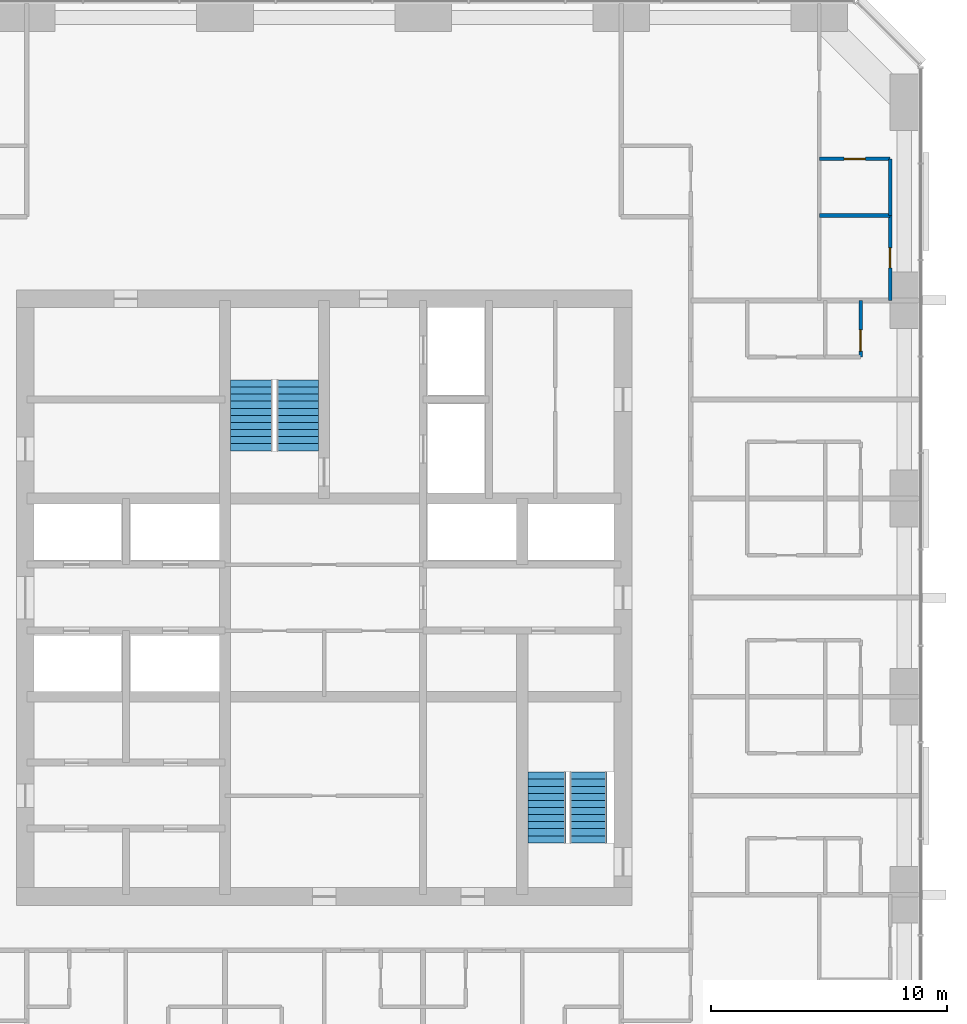
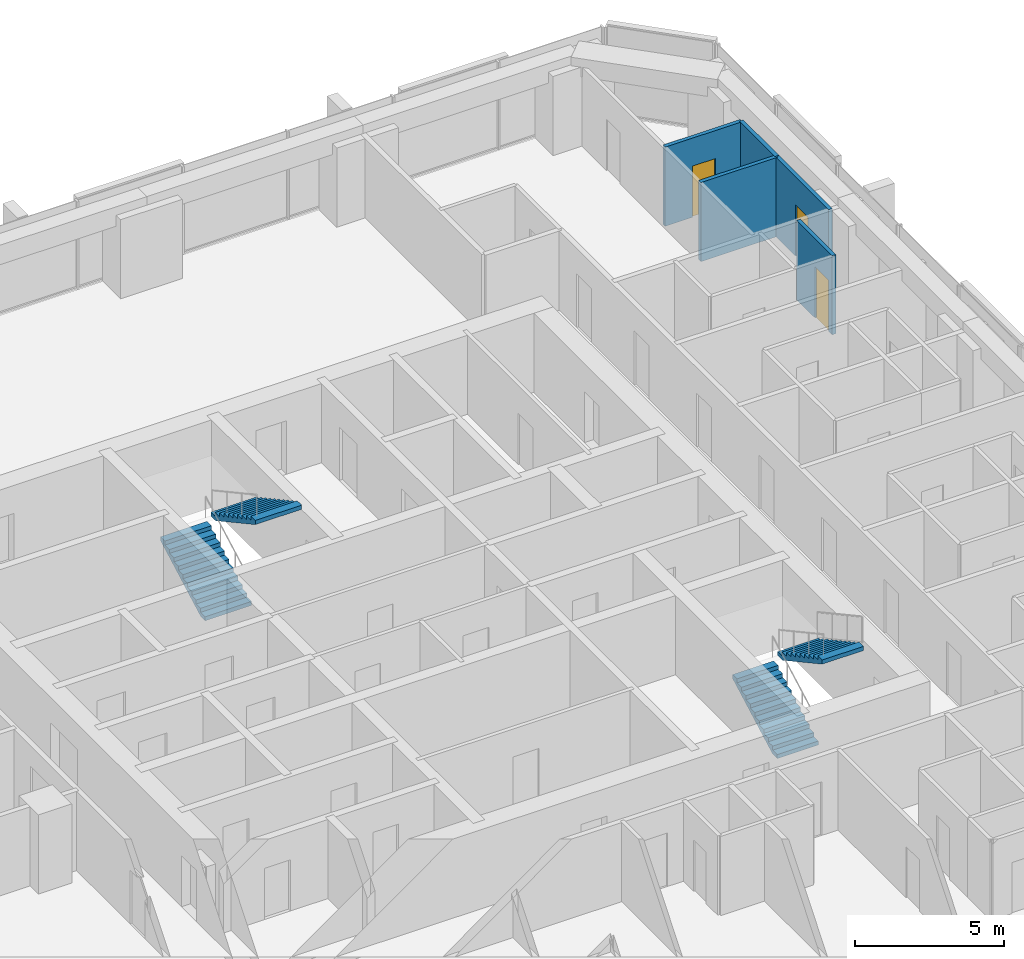
# One storey, part 13 of 14: 5 walls, 4 stair flights, 3 doors, 3 openings, 2 elements without a shape of their own.
"""IFC4 building model written with IfcOpenShell, lengths in metres."""

from ifc_helpers import new_model, si_unit, direction, frame, frame_2d, origin, place, context, subcontext, project, spatial, polyline, rectangle, outline, extrude, material, layer, layer_set, type_object, element, fill, aggregate, save


model = new_model("IFC4")

# Units and contexts
model_context = context("Model", 3, precision=1e-05, world=origin(), true_north=direction((0.0, 1.0)))
body_context = subcontext(model_context, "Body", "Model", "MODEL_VIEW")
ifc_project = project(units=[si_unit("LENGTHUNIT", "METRE"), si_unit("AREAUNIT", "SQUARE_METRE"), si_unit("VOLUMEUNIT", "CUBIC_METRE"), si_unit("PLANEANGLEUNIT", "RADIAN"), si_unit("MASSUNIT", "GRAM", prefix="KILO")], contexts=[model_context])

# Site, building, storey
site_placement = place(None, origin())
site = spatial("IfcSite", under=ifc_project, at=site_placement, CompositionType="ELEMENT")
building_placement = place(site_placement, origin())
building = spatial("IfcBuilding", under=site, at=building_placement, Name="Dunama Terrace Hotel", CompositionType="ELEMENT")
storey_placement = place(building_placement, frame((0.0, 0.0, 177.0)))
storey = spatial("IfcBuildingStorey", under=building, at=storey_placement, Name="L45", CompositionType="ELEMENT", Elevation=177.0)

# Wall, opening, door
ifc_material_1 = material(Name="Gypsum board partition", Category="masonry")
ifc_layer_1 = layer(ifc_material_1, 0.14990234375)
ifc_layer_set_1 = layer_set([ifc_layer_1], Name="Bathroom partition 150")
wall_type_1 = type_object("IfcWallType", Name="Bathroom partition 150", PredefinedType="PARTITIONING", material=ifc_layer_set_1)
wall_1_placement = place(storey_placement, frame((53.39990234375, 42.0, 0.0), z_axis=(0.0, 0.0, 1.0), x_axis=(0.0, 1.0, 0.0)))
wall_1 = element("IfcWall", 1, at=wall_1_placement, inside=storey, type_object=wall_type_1, Name="Bathroom partition 150 L45", PredefinedType="PARTITIONING", context=body_context, shape_type="SweptSolid", body=[
    extrude(rectangle(XDim=3.60009765625, YDim=0.14990234375, at=frame_2d((1.800048828125, 0.0))), origin(), (0.0, 0.0, 1.0), 3.25),
])
opening_1_placement = place(wall_1_placement, frame((1.375, 0.0, 0.0)))
opening_1 = element("IfcOpeningElement", 2, at=opening_1_placement, cuts=wall_1, Name="Opening L45-065", PredefinedType="OPENING", context=body_context, shape_type="SweptSolid", body=[
    extrude(rectangle(XDim=0.85009765625, YDim=2.10009765625, at=frame_2d((0.425048828125, 1.050048828125))), frame((0.0, 0.0849609375, 0.0), z_axis=(0.0, -1.0, 0.0), x_axis=(1.0, 0.0, 0.0)), (0.0, 0.0, 1.0), 0.169921875),
])
ifc_material_2 = material(Name="Timber door with steel frame", Category="steel")
door_type_1 = type_object("IfcDoorType", Name="Bathroom door 850", OperationType="SINGLE_SWING_LEFT", PredefinedType="DOOR", material=ifc_material_2)
door_1_placement = place(opening_1_placement, origin())
door_1 = element("IfcDoor", 3, at=door_1_placement, inside=storey, type_object=door_type_1, Name="Door to en-suite bathroom L45-065, type D2", OperationType="SINGLE_SWING_LEFT", OverallHeight=2.10009765625, OverallWidth=0.85009765625, PredefinedType="DOOR", context=body_context, shape_type="SweptSolid", body=[
    extrude(rectangle(XDim=0.85009765625, YDim=2.10009765625, at=frame_2d((0.425048828125, 1.050048828125))), frame((0.0, 0.02490234375, 0.0), z_axis=(0.0, -1.0, 0.0), x_axis=(1.0, 0.0, 0.0)), (0.0, 0.0, 1.0), 0.050048828125),
])
fill(opening_1, door_1)

ifc_material_3 = material(Name="Gypsum board partition", Category="masonry")
ifc_layer_2 = layer(ifc_material_3, 0.14990234375)
ifc_layer_set_2 = layer_set([ifc_layer_2], Name="Room partition 150")
wall_type_2 = type_object("IfcWallType", Name="Room partition 150", PredefinedType="PARTITIONING", material=ifc_layer_set_2)
wall_2_placement = place(storey_placement, frame((52.14990234375, 39.60009765625, 0.0), z_axis=(0.0, 0.0, 1.0), x_axis=(0.0, 1.0, 0.0)))
wall_2 = element("IfcWall", 4, at=wall_2_placement, inside=storey, type_object=wall_type_2, Name="Room partition 150 L45", PredefinedType="PARTITIONING", context=body_context, shape_type="SweptSolid", body=[
    extrude(rectangle(XDim=2.39990234375, YDim=0.14990234375, at=frame_2d((1.199951171875, 0.0))), origin(), (0.0, 0.0, 1.0), 3.25),
])
opening_2_placement = place(wall_2_placement, frame((0.25, 0.0, 0.0)))
opening_2 = element("IfcOpeningElement", 5, at=opening_2_placement, cuts=wall_2, Name="Opening L45-041", PredefinedType="OPENING", context=body_context, shape_type="SweptSolid", body=[
    extrude(rectangle(XDim=0.89990234375, YDim=2.10009765625, at=frame_2d((0.449951171875, 1.050048828125))), frame((0.0, 0.0849609375, 0.0), z_axis=(0.0, -1.0, 0.0), x_axis=(1.0, 0.0, 0.0)), (0.0, 0.0, 1.0), 0.169921875),
])
ifc_material_4 = material(Name="Timber door with steel frame", Category="steel")
door_type_2 = type_object("IfcDoorType", Name="Suite internal door 900", OperationType="SINGLE_SWING_LEFT", PredefinedType="DOOR", material=ifc_material_4)
door_2_placement = place(opening_2_placement, origin())
door_2 = element("IfcDoor", 6, at=door_2_placement, inside=storey, type_object=door_type_2, Name="Door to walk-in wardrobe L45-041, type D16", OperationType="SINGLE_SWING_LEFT", OverallHeight=2.10009765625, OverallWidth=0.89990234375, PredefinedType="DOOR", context=body_context, shape_type="SweptSolid", body=[
    extrude(rectangle(XDim=0.89990234375, YDim=2.10009765625, at=frame_2d((0.449951171875, 1.050048828125))), frame((0.0, 0.02490234375, 0.0), z_axis=(0.0, -1.0, 0.0), x_axis=(1.0, 0.0, 0.0)), (0.0, 0.0, 1.0), 0.050048828125),
])
fill(opening_2, door_2)

# Walls
wall_3_placement = place(storey_placement, frame((53.39990234375, 45.60009765625, 0.0), z_axis=(0.0, 0.0, 1.0), x_axis=(0.0, 1.0, 0.0)))
element("IfcWall", 7, at=wall_3_placement, inside=storey, type_object=wall_type_2, Name="Room partition 150 L45", PredefinedType="PARTITIONING", context=body_context, shape_type="SweptSolid", body=[
    extrude(rectangle(XDim=2.39990234375, YDim=0.14990234375, at=frame_2d((1.199951171875, 0.0))), origin(), (0.0, 0.0, 1.0), 3.25),
])
wall_4_placement = place(storey_placement, frame((50.39990234375, 45.60009765625, 0.0), z_axis=(0.0, 0.0, 1.0), x_axis=(1.0, 0.0, 0.0)))
element("IfcWall", 8, at=wall_4_placement, inside=storey, type_object=wall_type_2, Name="Room partition 150 L45", PredefinedType="PARTITIONING", context=body_context, shape_type="SweptSolid", body=[
    extrude(rectangle(XDim=3.0, YDim=0.14990234375, at=frame_2d((1.5, 0.0))), origin(), (0.0, 0.0, 1.0), 3.25),
])

# Wall, opening, door
wall_5_placement = place(storey_placement, frame((50.39990234375, 48.0, 0.0), z_axis=(0.0, 0.0, 1.0), x_axis=(1.0, 0.0, 0.0)))
wall_5 = element("IfcWall", 9, at=wall_5_placement, inside=storey, type_object=wall_type_2, Name="Room partition 150 L45", PredefinedType="PARTITIONING", context=body_context, shape_type="SweptSolid", body=[
    extrude(rectangle(XDim=3.0, YDim=0.14990234375, at=frame_2d((1.5, 0.0))), origin(), (0.0, 0.0, 1.0), 3.25),
])
opening_3_placement = place(wall_5_placement, frame((1.050048828125, 0.0, 0.0)))
opening_3 = element("IfcOpeningElement", 10, at=opening_3_placement, cuts=wall_5, Name="Opening L45-066", PredefinedType="OPENING", context=body_context, shape_type="SweptSolid", body=[
    extrude(rectangle(XDim=0.89990234375, YDim=2.10009765625, at=frame_2d((0.449951171875, 1.050048828125))), frame((0.0, 0.0849609375, 0.0), z_axis=(0.0, -1.0, 0.0), x_axis=(1.0, 0.0, 0.0)), (0.0, 0.0, 1.0), 0.169921875),
])
door_3_placement = place(opening_3_placement, frame((0.89990234375, 0.0, 0.0), z_axis=(0.0, 0.0, 1.0), x_axis=(-1.0, 0.0, 0.0)))
door_3 = element("IfcDoor", 11, at=door_3_placement, inside=storey, type_object=door_type_2, Name="Door to dressing room L45-066, type D16", OperationType="SINGLE_SWING_RIGHT", OverallHeight=2.10009765625, OverallWidth=0.89990234375, PredefinedType="DOOR", context=body_context, shape_type="SweptSolid", body=[
    extrude(rectangle(XDim=0.89990234375, YDim=2.10009765625, at=frame_2d((0.449951171875, 1.050048828125))), frame((0.0, 0.025146484375, 0.0), z_axis=(0.0, -1.0, 0.0), x_axis=(1.0, 0.0, 0.0)), (0.0, 0.0, 1.0), 0.050048828125),
])
fill(opening_3, door_3)

# Stair, stair flights
ifc_material_5 = material(Name="Concrete C40/50", Category="concrete")
stair_type_1 = type_object("IfcStairType", Name="Stair ST1-3600-1800", PredefinedType="HALF_TURN_STAIR", material=ifc_material_5)
stair_1_placement = place(storey_placement, origin())
stair_1 = element("IfcStair", 12, at=stair_1_placement, inside=storey, type_object=stair_type_1, Name="Stair ST1 L45", PredefinedType="HALF_TURN_STAIR")
ifc_material_6 = material(Name="Concrete C40/50", Category="concrete")
stair_flight_type_1 = type_object("IfcStairFlightType", Name="Stair flight ST1-3600-1800", PredefinedType="STRAIGHT", material=ifc_material_6)
stair_flight_1_placement = place(storey_placement, frame((26.324951171875, 35.625, 0.0), z_axis=(0.0, 0.0, 1.0), x_axis=(0.0, 1.0, 0.0)))
stair_flight_1 = element("IfcStairFlight", 13, at=stair_flight_1_placement, type_object=stair_flight_type_1, Name="ST1 flight 1", NumberOfRisers=11, NumberOfTreads=10, PredefinedType="STRAIGHT", RiserHeight=0.163636364, TreadLength=0.3, context=body_context, shape_type="SweptSolid", body=[
    extrude(outline(polyline([(0.0, 0.0), (0.0, 0.16357421875), (0.300048828125, 0.16357421875), (0.300048828125, 0.327392578125), (0.60009765625, 0.327392578125), (0.60009765625, 0.490966796875), (0.89990234375, 0.490966796875), (0.89990234375, 0.654541015625), (1.199951171875, 0.654541015625), (1.199951171875, 0.818115234375), (1.5, 0.818115234375), (1.5, 0.98193359375), (1.800048828125, 0.98193359375), (1.800048828125, 1.1455078125), (2.10009765625, 1.1455078125), (2.10009765625, 1.30908203125), (2.39990234375, 1.30908203125), (2.39990234375, 1.47265625), (2.699951171875, 1.47265625), (2.699951171875, 1.636474609375), (3.0, 1.636474609375), (3.0, 1.800048828125), (3.0, 1.465576171875), (0.31298828125, 0.0), (0.0, 0.0)])), frame((0.0, 0.89990234375, 0.0), z_axis=(0.0, -1.0, 0.0), x_axis=(1.0, 0.0, 0.0)), (0.0, 0.0, 1.0), 1.800048828125),
])
stair_flight_2_placement = place(storey_placement, frame((28.27490234375, 38.625, 1.800048828125), z_axis=(0.0, 0.0, 1.0), x_axis=(0.0, -1.0, 0.0)))
stair_flight_2 = element("IfcStairFlight", 14, at=stair_flight_2_placement, type_object=stair_flight_type_1, Name="ST1 flight 2", NumberOfRisers=11, NumberOfTreads=10, PredefinedType="STRAIGHT", RiserHeight=0.163636364, TreadLength=0.3, context=body_context, shape_type="SweptSolid", body=[
    extrude(outline(polyline([(0.0, 0.0), (0.0, 0.16357421875), (0.300048828125, 0.16357421875), (0.300048828125, 0.327392578125), (0.60009765625, 0.327392578125), (0.60009765625, 0.490966796875), (0.89990234375, 0.490966796875), (0.89990234375, 0.654541015625), (1.199951171875, 0.654541015625), (1.199951171875, 0.818115234375), (1.5, 0.818115234375), (1.5, 0.98193359375), (1.800048828125, 0.98193359375), (1.800048828125, 1.1455078125), (2.10009765625, 1.1455078125), (2.10009765625, 1.30908203125), (2.39990234375, 1.30908203125), (2.39990234375, 1.47265625), (2.699951171875, 1.47265625), (2.699951171875, 1.636474609375), (3.0, 1.636474609375), (3.0, 1.800048828125), (3.0, 1.465576171875), (0.31298828125, 0.0), (0.0, 0.0)])), frame((0.0, 0.89990234375, 0.0), z_axis=(0.0, -1.0, 0.0), x_axis=(1.0, 0.0, 0.0)), (0.0, 0.0, 1.0), 1.800048828125),
])
aggregate(stair_1, [stair_flight_1, stair_flight_2])

ifc_material_7 = material(Name="Concrete C40/50", Category="concrete")
stair_type_2 = type_object("IfcStairType", Name="Stair ST2-3600-1600", PredefinedType="HALF_TURN_STAIR", material=ifc_material_7)
stair_2_placement = place(storey_placement, origin())
stair_2 = element("IfcStair", 15, at=stair_2_placement, inside=storey, type_object=stair_type_2, Name="Stair ST2 L45", PredefinedType="HALF_TURN_STAIR")
ifc_material_8 = material(Name="Concrete C40/50", Category="concrete")
stair_flight_type_2 = type_object("IfcStairFlightType", Name="Stair flight ST2-3600-1600", PredefinedType="STRAIGHT", material=ifc_material_8)
stair_flight_3_placement = place(storey_placement, frame((38.85009765625, 19.0, 0.0), z_axis=(0.0, 0.0, 1.0), x_axis=(0.0, 1.0, 0.0)))
stair_flight_3 = element("IfcStairFlight", 16, at=stair_flight_3_placement, type_object=stair_flight_type_2, Name="ST2 flight 1", NumberOfRisers=11, NumberOfTreads=10, PredefinedType="STRAIGHT", RiserHeight=0.163636364, TreadLength=0.3, context=body_context, shape_type="SweptSolid", body=[
    extrude(outline(polyline([(0.0, 0.0), (0.0, 0.16357421875), (0.300048828125, 0.16357421875), (0.300048828125, 0.327392578125), (0.60009765625, 0.327392578125), (0.60009765625, 0.490966796875), (0.89990234375, 0.490966796875), (0.89990234375, 0.654541015625), (1.199951171875, 0.654541015625), (1.199951171875, 0.818115234375), (1.5, 0.818115234375), (1.5, 0.98193359375), (1.800048828125, 0.98193359375), (1.800048828125, 1.1455078125), (2.10009765625, 1.1455078125), (2.10009765625, 1.30908203125), (2.39990234375, 1.30908203125), (2.39990234375, 1.47265625), (2.699951171875, 1.47265625), (2.699951171875, 1.636474609375), (3.0, 1.636474609375), (3.0, 1.800048828125), (3.0, 1.465576171875), (0.31298828125, 0.0), (0.0, 0.0)])), frame((0.0, 0.800048828125, 0.0), z_axis=(0.0, -1.0, 0.0), x_axis=(1.0, 0.0, 0.0)), (0.0, 0.0, 1.0), 1.60009765625),
])
stair_flight_4_placement = place(storey_placement, frame((40.60009765625, 22.0, 1.800048828125), z_axis=(0.0, 0.0, 1.0), x_axis=(0.0, -1.0, 0.0)))
stair_flight_4 = element("IfcStairFlight", 17, at=stair_flight_4_placement, type_object=stair_flight_type_2, Name="ST2 flight 2", NumberOfRisers=11, NumberOfTreads=10, PredefinedType="STRAIGHT", RiserHeight=0.163636364, TreadLength=0.3, context=body_context, shape_type="SweptSolid", body=[
    extrude(outline(polyline([(0.0, 0.0), (0.0, 0.16357421875), (0.300048828125, 0.16357421875), (0.300048828125, 0.327392578125), (0.60009765625, 0.327392578125), (0.60009765625, 0.490966796875), (0.89990234375, 0.490966796875), (0.89990234375, 0.654541015625), (1.199951171875, 0.654541015625), (1.199951171875, 0.818115234375), (1.5, 0.818115234375), (1.5, 0.98193359375), (1.800048828125, 0.98193359375), (1.800048828125, 1.1455078125), (2.10009765625, 1.1455078125), (2.10009765625, 1.30908203125), (2.39990234375, 1.30908203125), (2.39990234375, 1.47265625), (2.699951171875, 1.47265625), (2.699951171875, 1.636474609375), (3.0, 1.636474609375), (3.0, 1.800048828125), (3.0, 1.465576171875), (0.31298828125, 0.0), (0.0, 0.0)])), frame((0.0, 0.800048828125, 0.0), z_axis=(0.0, -1.0, 0.0), x_axis=(1.0, 0.0, 0.0)), (0.0, 0.0, 1.0), 1.60009765625),
])
aggregate(stair_2, [stair_flight_3, stair_flight_4])

save(model, "model.ifc")
